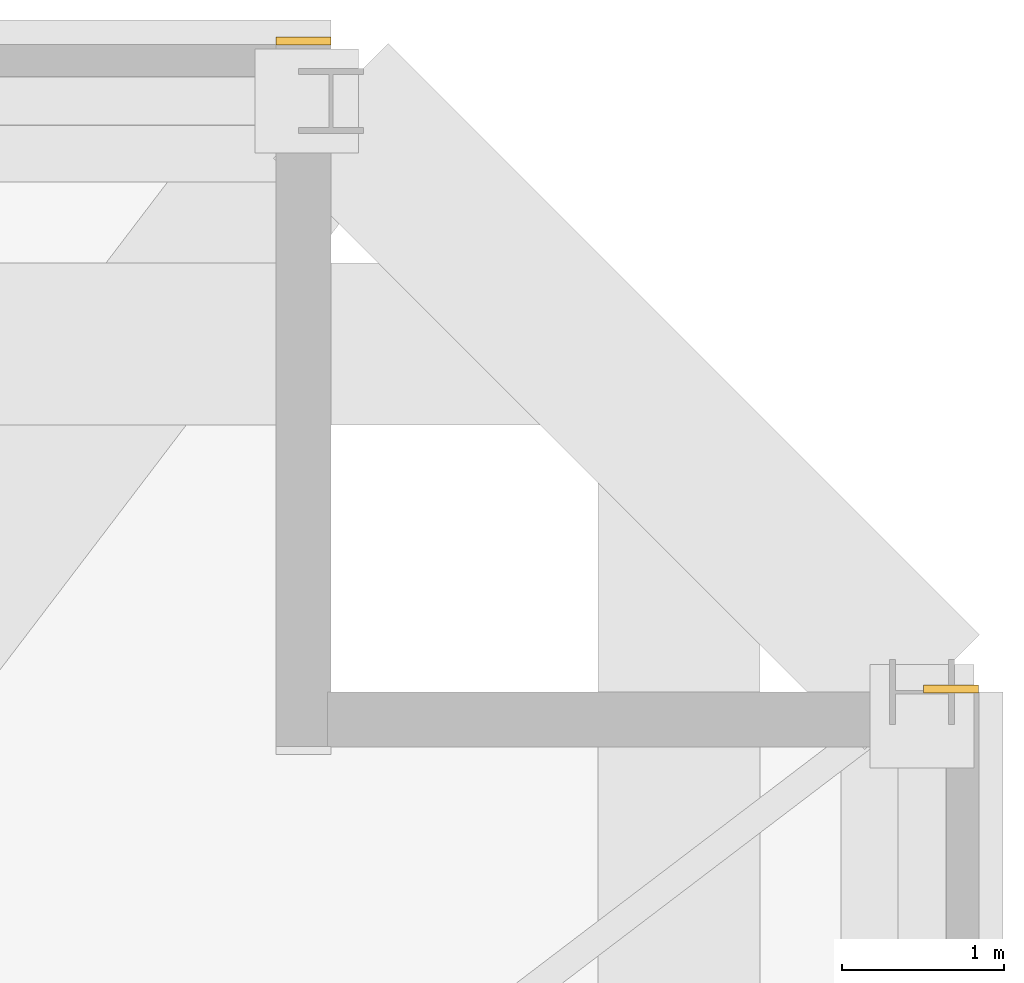
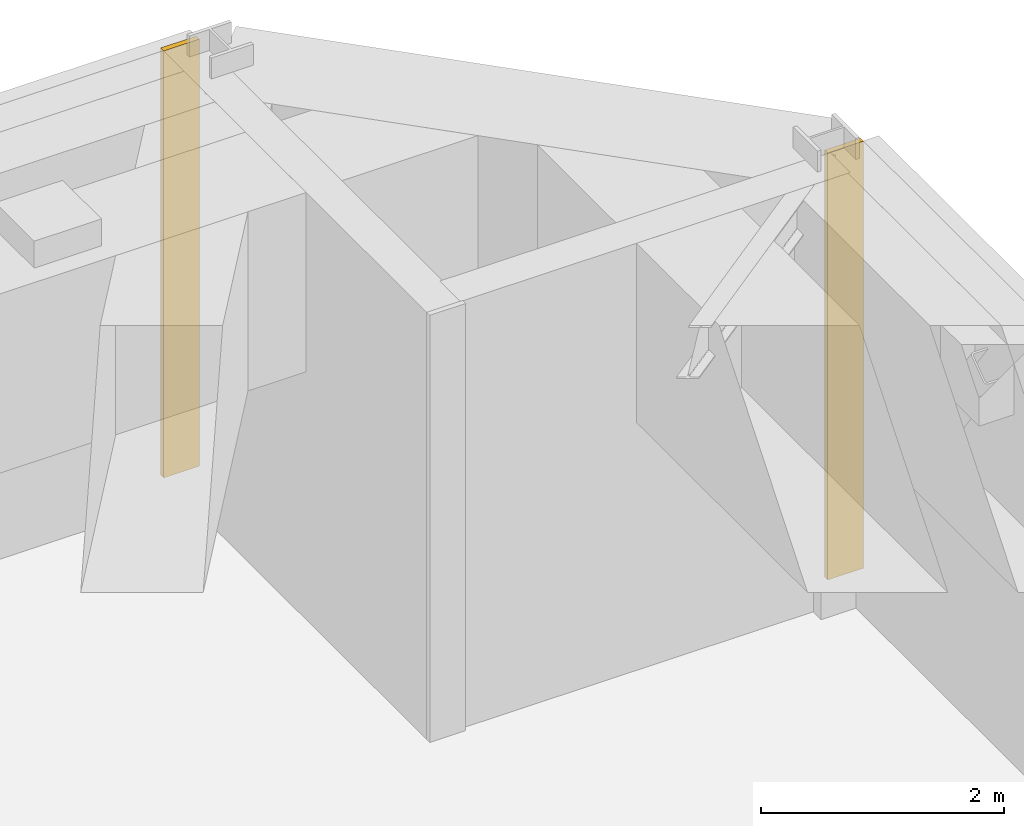
# One storey, part 13 of 13: 2 coverings.
"""IFC4 building model written with IfcOpenShell, lengths in metres."""

from ifc_helpers import new_model, si_unit, direction, frame, frame_2d, origin, place, context, subcontext, project, spatial, rectangle, extrude, material, layer, layer_set, type_object, element, save


model = new_model("IFC4")

# Units and contexts
model_context = context("Model", 3, precision=1e-05, world=origin(), true_north=direction((0.0, 1.0)))
body_context = subcontext(model_context, "Body", "Model", "MODEL_VIEW")
ifc_project = project(units=[si_unit("LENGTHUNIT", "METRE"), si_unit("AREAUNIT", "SQUARE_METRE"), si_unit("VOLUMEUNIT", "CUBIC_METRE"), si_unit("PLANEANGLEUNIT", "RADIAN"), si_unit("MASSUNIT", "GRAM", prefix="KILO")], contexts=[model_context])

# Site, building, storey
site_placement = place(None, origin())
site = spatial("IfcSite", under=ifc_project, at=site_placement, CompositionType="ELEMENT")
building_placement = place(site_placement, origin())
building = spatial("IfcBuilding", under=site, at=building_placement, Name="Cairnveth Concourse Tower", CompositionType="ELEMENT")
storey_placement = place(building_placement, frame((0.0, 0.0, 193.5)))
storey = spatial("IfcBuildingStorey", under=building, at=storey_placement, Name="L53", CompositionType="ELEMENT", Elevation=193.5)

# Coverings
ifc_material = material(Name="Dressed Melbourne Bluestone Cladding", Category="masonry")
ifc_layer = layer(ifc_material, 0.050048828125)
ifc_layer_set = layer_set([ifc_layer], Name="Dressed Melbourne Bluestone Cladding")
covering_type = type_object("IfcCoveringType", Name="DRESSED BLUESTONE PLINTH CLADDING 50", PredefinedType="CLADDING", material=ifc_layer_set)
for number, where, z_axis, x_axis, name in (
    (1, (71.659912109375, 63.02001953125, 0.0), (0.0, 0.0, 1.0), (1.0, 0.0, 0.0), "Melbourne Bluestone Corner Quoin L53-793"),
    (2, (75.659912109375, 59.02001953125, 0.0), (0.0, 0.0, 1.0), (1.0, 0.0, 0.0), "Melbourne Bluestone Corner Quoin L53-795"),
):
    element("IfcCovering", number, at=place(storey_placement, frame(where, z_axis=z_axis, x_axis=x_axis)), inside=storey, type_object=covering_type, Name=name, PredefinedType="CLADDING", context=body_context, shape_type="SweptSolid", body=[
        extrude(rectangle(XDim=0.340087890625, YDim=0.050048828125, at=frame_2d((0.169921875, 0.0))), origin(), (0.0, 0.0, 1.0), 4.2900390625),
    ])

save(model, "model.ifc")
